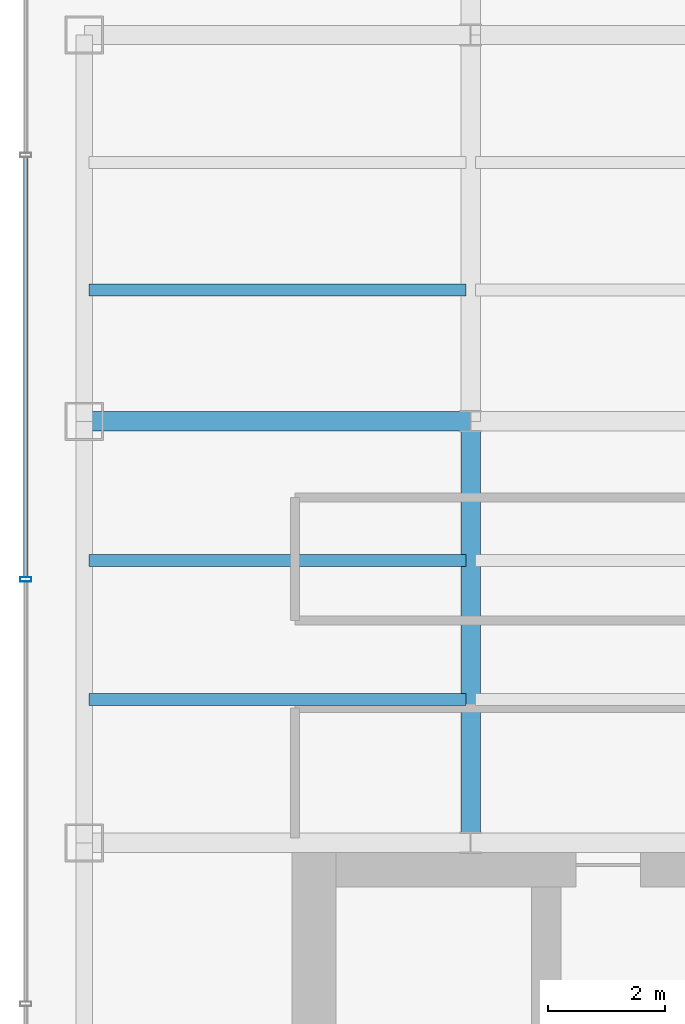
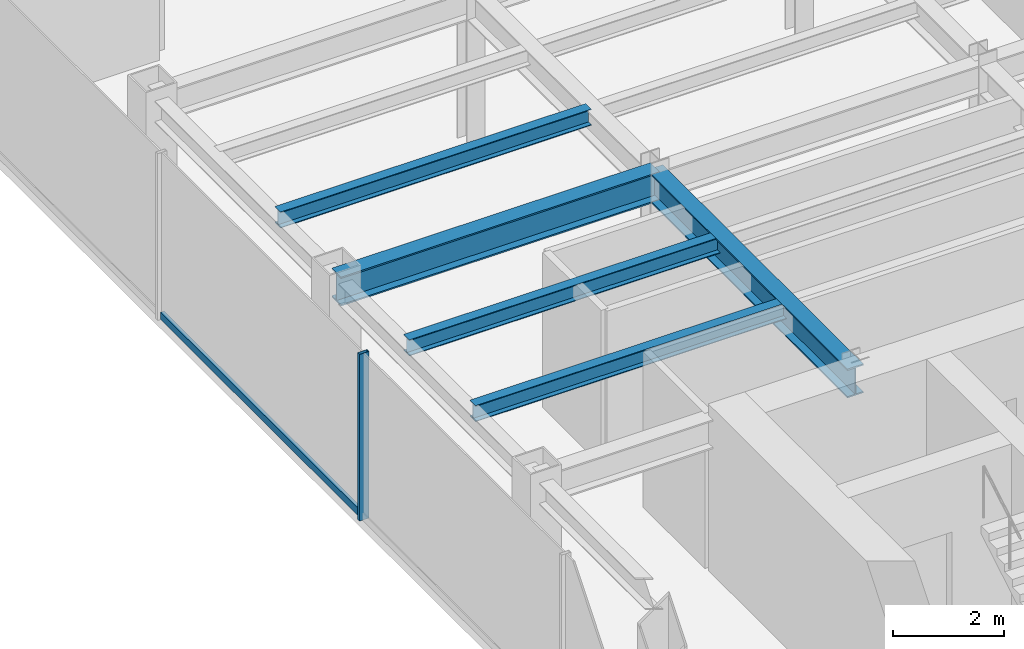
# One storey, part 5 of 25: 5 beams, 2 members, 1 element without a shape of its own.
"""IFC4 building model written with IfcOpenShell, lengths in metres."""

from ifc_helpers import new_model, si_unit, derived_unit, direction, frame, origin, origin_2d, place, context, subcontext, project, spatial, hollow_rectangle, i_section, extrude, source, transform, mapped, material, material_profile, profile_set, type_object, element, aggregate, save


model = new_model("IFC4")

# Units and contexts
model_context = context("Model", 3, precision=1e-05, world=origin(), true_north=direction((0.0, 1.0)))
body_context = subcontext(model_context, "Body", "Model", "MODEL_VIEW")
ifc_project = project(units=[si_unit("LENGTHUNIT", "METRE"), si_unit("AREAUNIT", "SQUARE_METRE"), si_unit("VOLUMEUNIT", "CUBIC_METRE"), si_unit("PLANEANGLEUNIT", "RADIAN"), si_unit("MASSUNIT", "GRAM", prefix="KILO"), derived_unit("THERMALTRANSMITTANCEUNIT", [(si_unit("POWERUNIT", "WATT"), 1), (si_unit("LENGTHUNIT", "METRE"), -2), (si_unit("THERMODYNAMICTEMPERATUREUNIT", "KELVIN"), -1)])], contexts=[model_context])

# Site, building, storey
site_placement = place(None, origin())
site = spatial("IfcSite", under=ifc_project, at=site_placement, CompositionType="ELEMENT")
building_placement = place(site_placement, origin())
building = spatial("IfcBuilding", under=site, at=building_placement, Name="Skarnbrae Concourse Arena and Tower", CompositionType="ELEMENT")
storey_placement = place(building_placement, frame((0.0, 0.0, 162.5)))
storey = spatial("IfcBuildingStorey", under=building, at=storey_placement, Name="L41", CompositionType="ELEMENT", Elevation=162.5)

# Beams
ifc_material_1 = material(Name="Steel CSA G40.21 350W", Category="steel")
ifc_material_profile_1 = material_profile(ifc_material_1, i_section(OverallWidth=0.3291015625, OverallDepth=0.635009765625, WebThickness=0.017822265625, FlangeThickness=0.031005859375, at=origin_2d()), Name="W610X241")
ifc_profile_set_1 = profile_set([ifc_material_profile_1], Name="Steel CSA G40.21 350W")
beam_type_1 = type_object("IfcBeamType", Name="BM-GIRD-W610X241", PredefinedType="BEAM", material=ifc_profile_set_1)
shared_shape_1 = source(origin(), body_context, "Body", "SweptSolid", [
    extrude(i_section(OverallWidth=0.3291015625, OverallDepth=0.635009765625, WebThickness=0.017822265625, FlangeThickness=0.031005859375, at=origin_2d()), origin(), (0.0, 0.0, 1.0), 6.60009765625),
])
beam_1_placement = place(storey_placement, frame((1.0, 21.199951171875, 3.08251953125), z_axis=(1.0, 0.0, 0.0), x_axis=(0.0, 1.0, 0.0)))
element("IfcBeam", 1, at=beam_1_placement, inside=storey, type_object=beam_type_1, Name="L41 Primary E-W girder Y21.2-1", PredefinedType="BEAM", context=body_context, shape_type="MappedRepresentation", body=[
    mapped(shared_shape_1, transform((0.0, 0.0, 0.0))),
])
shared_shape_2 = source(origin(), body_context, "Body", "SweptSolid", [
    extrude(i_section(OverallWidth=0.3291015625, OverallDepth=0.635009765625, WebThickness=0.017822265625, FlangeThickness=0.031005859375, at=origin_2d()), origin(), (0.0, 0.0, 1.0), 7.199951171875),
])
beam_2_placement = place(storey_placement, frame((7.60009765625, 14.0, 3.08251953125), z_axis=(0.0, 1.0, 0.0), x_axis=(-1.0, 0.0, 0.0)))
element("IfcBeam", 2, at=beam_2_placement, inside=storey, type_object=beam_type_1, Name="L41 Primary N-S girder X7.6-1", PredefinedType="BEAM", context=body_context, shape_type="MappedRepresentation", body=[
    mapped(shared_shape_2, transform((0.0, 0.0, 0.0))),
])
ifc_material_profile_2 = material_profile(ifc_material_1, i_section(OverallWidth=0.205078125, OverallDepth=0.35400390625, WebThickness=0.009521484375, FlangeThickness=0.016845703125, at=origin_2d()), Name="W360X79")
ifc_profile_set_2 = profile_set([ifc_material_profile_2], Name="Steel CSA G40.21 350W")
beam_type_2 = type_object("IfcBeamType", Name="BM-JOIST-W360X79", PredefinedType="JOIST", material=ifc_profile_set_2)
shared_shape_3 = source(origin(), body_context, "Body", "SweptSolid", [
    extrude(i_section(OverallWidth=0.205078125, OverallDepth=0.35400390625, WebThickness=0.009521484375, FlangeThickness=0.016845703125, at=origin_2d()), origin(), (0.0, 0.0, 1.0), 6.43994140625),
])
for number, where, z_axis, x_axis, name in (
    (3, (1.080078125, 16.447998046875, 3.222900390625), (1.0, 0.0, 0.0), (0.0, 1.0, 0.0), "L41 Secondary floor joist 1.1.1"),
    (4, (1.080078125, 18.823974609375, 3.222900390625), (1.0, 0.0, 0.0), (0.0, 1.0, 0.0), "L41 Secondary floor joist 1.2.1"),
    (5, (1.080078125, 23.444091796875, 3.222900390625), (1.0, 0.0, 0.0), (0.0, 1.0, 0.0), "L41 Secondary floor joist 2.1.1"),
):
    element("IfcBeam", number, at=place(storey_placement, frame(where, z_axis=z_axis, x_axis=x_axis)), inside=storey, type_object=beam_type_2, Name=name, PredefinedType="JOIST", context=body_context, shape_type="MappedRepresentation", body=[
        mapped(shared_shape_3, transform((0.0, 0.0, 0.0))),
    ])

# Curtain wall, members
ifc_material_2 = material(Name="Bronze anodised aluminium 6063-T6", Category="aluminium")
curtain_wall_type = type_object("IfcCurtainWallType", Name="CW-SYS-04-MIDZONE", PredefinedType="USERDEFINED", material=ifc_material_2)
curtain_wall_placement = place(storey_placement, origin())
curtain_wall = element("IfcCurtainWall", 6, at=curtain_wall_placement, inside=storey, type_object=curtain_wall_type, Name="L41 Unitised curtain wall CW-L41-E18", ObjectType="UNITISED CURTAIN WALL", PredefinedType="USERDEFINED")
ifc_material_profile_3 = material_profile(ifc_material_2, hollow_rectangle(XDim=0.074951171875, YDim=0.195068359375, WallThickness=0.00439453125, at=origin_2d()), Name="ALU-MULL-75X195")
ifc_profile_set_3 = profile_set([ifc_material_profile_3], Name="Bronze anodised aluminium 6063-T6")
member_type_1 = type_object("IfcMemberType", Name="CWM-CW-04", PredefinedType="MULLION", material=ifc_profile_set_3)
shared_shape_4 = source(origin(), body_context, "Body", "SweptSolid", [
    extrude(hollow_rectangle(XDim=0.074951171875, YDim=0.195068359375, WallThickness=0.00439453125, at=origin_2d()), origin(), (0.0, 0.0, 1.0), 3.64990234375),
])
member_1_placement = place(storey_placement, frame((0.0, 18.5, 0.0), z_axis=(0.0, 0.0, 1.0), x_axis=(0.0, -1.0, 0.0)))
member_1 = element("IfcMember", 7, at=member_1_placement, type_object=member_type_1, Name="CW-L41-E18 Mullion 3", PredefinedType="MULLION", context=body_context, shape_type="MappedRepresentation", body=[
    mapped(shared_shape_4, transform((0.0, 0.0, 0.0))),
])
ifc_material_profile_4 = material_profile(ifc_material_2, hollow_rectangle(XDim=0.074951171875, YDim=0.159912109375, WallThickness=0.00439453125, at=origin_2d()), Name="ALU-TRAN-75X160")
ifc_profile_set_4 = profile_set([ifc_material_profile_4], Name="Bronze anodised aluminium 6063-T6")
member_type_2 = type_object("IfcMemberType", Name="CWT-CW-04", PredefinedType="USERDEFINED", material=ifc_profile_set_4)
shared_shape_5 = source(origin(), body_context, "Body", "SweptSolid", [
    extrude(hollow_rectangle(XDim=0.074951171875, YDim=0.159912109375, WallThickness=0.00439453125, at=origin_2d()), origin(), (0.0, 0.0, 1.0), 7.1748046875),
])
member_2_placement = place(storey_placement, frame((0.0, 25.71240234375, 0.080078125), z_axis=(0.0, -1.0, 0.0), x_axis=(1.0, 0.0, 0.0)))
member_2 = element("IfcMember", 8, at=member_2_placement, type_object=member_type_2, Name="CW-L41-E18 Transom 2", ObjectType="TRANSOM", PredefinedType="USERDEFINED", context=body_context, shape_type="MappedRepresentation", body=[
    mapped(shared_shape_5, transform((0.0, 0.0, 0.0))),
])
aggregate(curtain_wall, [member_1, member_2])

save(model, "model.ifc")
